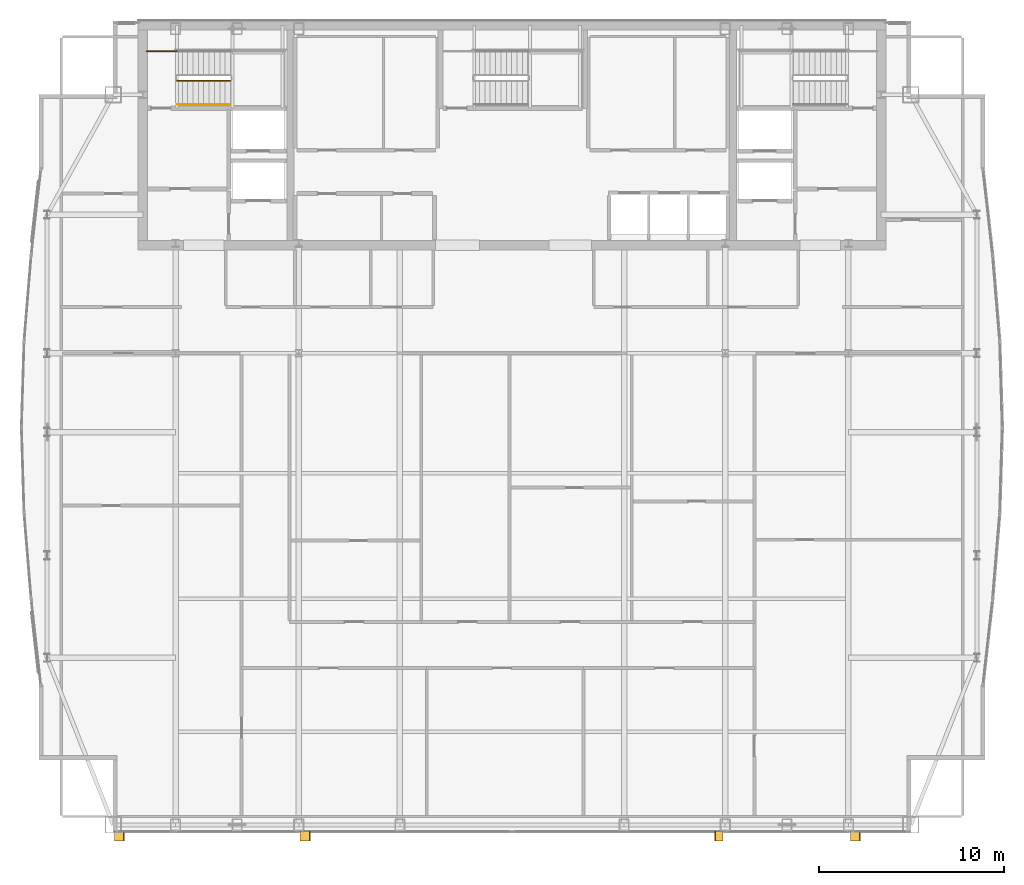
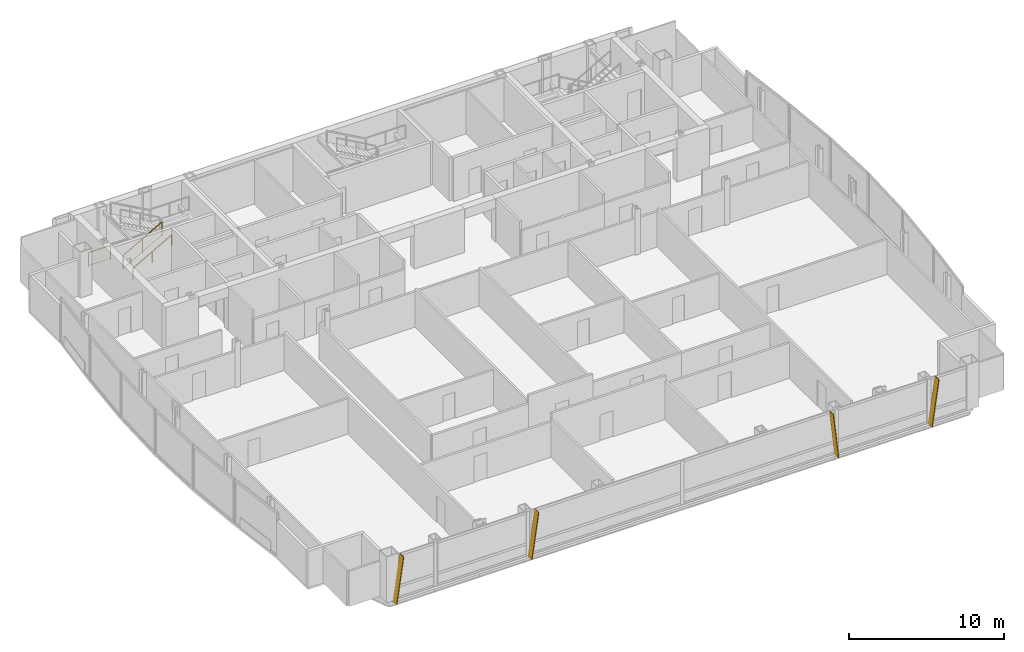
# One storey, part 24 of 25: 4 shading devices, 3 railings.
"""IFC4 building model written with IfcOpenShell, lengths in metres."""

from ifc_helpers import new_model, si_unit, direction, frame, origin, origin_2d, place, context, subcontext, project, spatial, polyline, rectangle, outline, extrude, material, layer, layer_set, type_object, element, save


model = new_model("IFC4")

# Units and contexts
model_context = context("Model", 3, precision=1e-05, world=origin(), true_north=direction((0.0, 1.0)))
body_context = subcontext(model_context, "Body", "Model", "MODEL_VIEW")
ifc_project = project(units=[si_unit("LENGTHUNIT", "METRE"), si_unit("AREAUNIT", "SQUARE_METRE"), si_unit("VOLUMEUNIT", "CUBIC_METRE"), si_unit("PLANEANGLEUNIT", "RADIAN"), si_unit("MASSUNIT", "GRAM", prefix="KILO")], contexts=[model_context])

# Site, building, storey
site_placement = place(None, origin())
site = spatial("IfcSite", under=ifc_project, at=site_placement, CompositionType="ELEMENT")
building_placement = place(site_placement, origin())
building = spatial("IfcBuilding", under=site, at=building_placement, Name="Khoronbel Lancet Exchange", CompositionType="ELEMENT")
storey_placement = place(building_placement, frame((0.0, 0.0, 298.60009765625)))
storey = spatial("IfcBuildingStorey", under=building, at=storey_placement, Name="L77", CompositionType="ELEMENT", Elevation=298.60009765625)

# Railings
ifc_material_1 = material(Name="Painted Steel Balustrade", Category="steel")
railing_type_1 = type_object("IfcRailingType", Name="RL-STG110", PredefinedType="GUARDRAIL", material=ifc_material_1)
railing_1_placement = place(storey_placement, frame((18.300048828125, 50.449951171875, 0.16357421875)))
element("IfcRailing", 1, at=railing_1_placement, inside=storey, type_object=railing_type_1, Name="L77 ST1 stair guard 1", PredefinedType="GUARDRAIL", context=body_context, shape_type="SweptSolid", body=[
    extrude(rectangle(XDim=0.048095703125, YDim=0.048095703125, at=origin_2d()), frame((0.0, 0.0, 1.09619140625), z_axis=(0.870928581787, 0.0, 0.491409610636), x_axis=(0.0, 1.0, 0.0)), (0.0, 0.0, 1.0), 3.32958984375),
    extrude(rectangle(XDim=0.02392578125, YDim=0.02392578125, at=origin_2d()), frame((0.0, 0.0, 0.080078125), z_axis=(0.870928581787, 0.0, 0.491409610636), x_axis=(0.0, 1.0, 0.0)), (0.0, 0.0, 1.0), 3.32958984375),
    extrude(rectangle(XDim=0.0419921875, YDim=0.0419921875, at=origin_2d()), origin(), (0.0, 0.0, 1.0), 1.072021484375),
    extrude(rectangle(XDim=0.0419921875, YDim=0.0419921875, at=origin_2d()), frame((1.449951171875, 0.0, 0.818115234375)), (0.0, 0.0, 1.0), 1.072021484375),
    extrude(rectangle(XDim=0.0419921875, YDim=0.0419921875, at=origin_2d()), frame((2.89990234375, 0.0, 1.63623046875)), (0.0, 0.0, 1.0), 1.072021484375),
])
railing_2_placement = place(storey_placement, frame((16.64990234375, 52.050048828125, 0.0)))
element("IfcRailing", 2, at=railing_2_placement, inside=storey, type_object=railing_type_1, Name="L77 ST1 stair guard 6", PredefinedType="GUARDRAIL", context=body_context, shape_type="SweptSolid", body=[
    extrude(rectangle(XDim=0.048095703125, YDim=0.048095703125, at=origin_2d()), frame((0.0, 0.0, 1.09619140625), z_axis=(1.0, 0.0, 0.0), x_axis=(0.0, 1.0, 0.0)), (0.0, 0.0, 1.0), 1.650146484375),
    extrude(rectangle(XDim=0.02392578125, YDim=0.02392578125, at=origin_2d()), frame((0.0, 0.0, 0.080078125), z_axis=(1.0, 0.0, 0.0), x_axis=(0.0, 1.0, 0.0)), (0.0, 0.0, 1.0), 1.650146484375),
    extrude(rectangle(XDim=0.0419921875, YDim=0.0419921875, at=origin_2d()), origin(), (0.0, 0.0, 1.0), 1.072021484375),
    extrude(rectangle(XDim=0.0419921875, YDim=0.0419921875, at=origin_2d()), frame((1.650146484375, 0.0, 0.0)), (0.0, 0.0, 1.0), 1.072021484375),
])
ifc_material_2 = material(Name="Brushed Stainless Steel 316", Category="steel")
railing_type_2 = type_object("IfcRailingType", Name="RL-STH92", PredefinedType="HANDRAIL", material=ifc_material_2)
railing_3_placement = place(storey_placement, frame((18.300048828125, 49.169921875, 0.16357421875)))
element("IfcRailing", 3, at=railing_3_placement, inside=storey, type_object=railing_type_2, Name="L77 ST1 stair handrail 1", PredefinedType="HANDRAIL", context=body_context, shape_type="SweptSolid", body=[
    extrude(rectangle(XDim=0.048095703125, YDim=0.048095703125, at=origin_2d()), frame((0.0, 0.0, 0.8759765625), z_axis=(0.870928581787, 0.0, 0.491409610636), x_axis=(0.0, 1.0, 0.0)), (0.0, 0.0, 1.0), 3.32958984375),
    extrude(rectangle(XDim=0.0419921875, YDim=0.0419921875, at=origin_2d()), origin(), (0.0, 0.0, 1.0), 0.851806640625),
    extrude(rectangle(XDim=0.0419921875, YDim=0.0419921875, at=origin_2d()), frame((1.449951171875, 0.0, 0.818115234375)), (0.0, 0.0, 1.0), 0.851806640625),
    extrude(rectangle(XDim=0.0419921875, YDim=0.0419921875, at=origin_2d()), frame((2.89990234375, 0.0, 1.63623046875)), (0.0, 0.0, 1.0), 0.851806640625),
])

# Shading devices
ifc_material_3 = material(Name="Bronze-Anodised Aluminium 6063-T6", Category="aluminium")
ifc_layer = layer(ifc_material_3, 0.054931640625, Name="Bronze-Anodised Aluminium 6063-T6")
ifc_layer_set = layer_set([ifc_layer], Name="Bronze-Anodised Aluminium 6063-T6")
shading_device_type = type_object("IfcShadingDeviceType", Name="SHD-FIN1", PredefinedType="USERDEFINED", material=ifc_layer_set)
for number, where, z_axis, x_axis, name in (
    (4, (14.91259765625, 9.81005859375, -0.080078125), (-0.990092925251, 0.0, 0.140413672296), (0.0, -1.0, 0.0), "Slanted bronze solar fin CW-L77-SWV-0"),
    (5, (24.972412109375, 9.81005859375, -0.080078125), (-0.990083483708, 0.0, 0.140480230955), (0.0, -1.0, 0.0), "Slanted bronze solar fin CW-L77-SCV-0"),
):
    element("IfcShadingDevice", number, at=place(storey_placement, frame(where, z_axis=z_axis, x_axis=x_axis)), inside=storey, type_object=shading_device_type, Name=name, ObjectType="FIN", PredefinedType="USERDEFINED", context=body_context, shape_type="SweptSolid", body=[
        extrude(outline(polyline([(0.0, 0.0), (0.52001953125, 0.0), (0.52001953125, 3.595703125), (0.0, 3.595703125), (0.0, 0.0)])), origin(), (0.0, 0.0, -1.0), 0.054931640625),
    ])
shading_device_1_placement = place(storey_placement, frame((47.87255859375, 9.81005859375, -0.080078125), z_axis=(0.993900347655, 0.0, 0.110281906632), x_axis=(0.0, -1.0, 0.0)))
element("IfcShadingDevice", 6, at=shading_device_1_placement, inside=storey, type_object=shading_device_type, Name="Slanted bronze solar fin CW-L77-SCV-2", ObjectType="FIN", PredefinedType="USERDEFINED", context=body_context, shape_type="SweptSolid", body=[
    extrude(outline(polyline([(0.0, 0.0), (0.52001953125, 0.0), (0.52001953125, -3.581787109375), (0.0, -3.581787109375), (0.0, 0.0)])), origin(), (0.0, 0.0, -1.0), 0.054931640625),
])
shading_device_2_placement = place(storey_placement, frame((54.7724609375, 9.81005859375, -0.080078125), z_axis=(-0.990083483708, 0.0, 0.140480230955), x_axis=(0.0, -1.0, 0.0)))
element("IfcShadingDevice", 7, at=shading_device_2_placement, inside=storey, type_object=shading_device_type, Name="Slanted bronze solar fin CW-L77-SEV-0", ObjectType="FIN", PredefinedType="USERDEFINED", context=body_context, shape_type="SweptSolid", body=[
    extrude(outline(polyline([(0.0, 0.0), (0.52001953125, 0.0), (0.52001953125, 3.595703125), (0.0, 3.595703125), (0.0, 0.0)])), origin(), (0.0, 0.0, -1.0), 0.054931640625),
])

save(model, "model.ifc")
